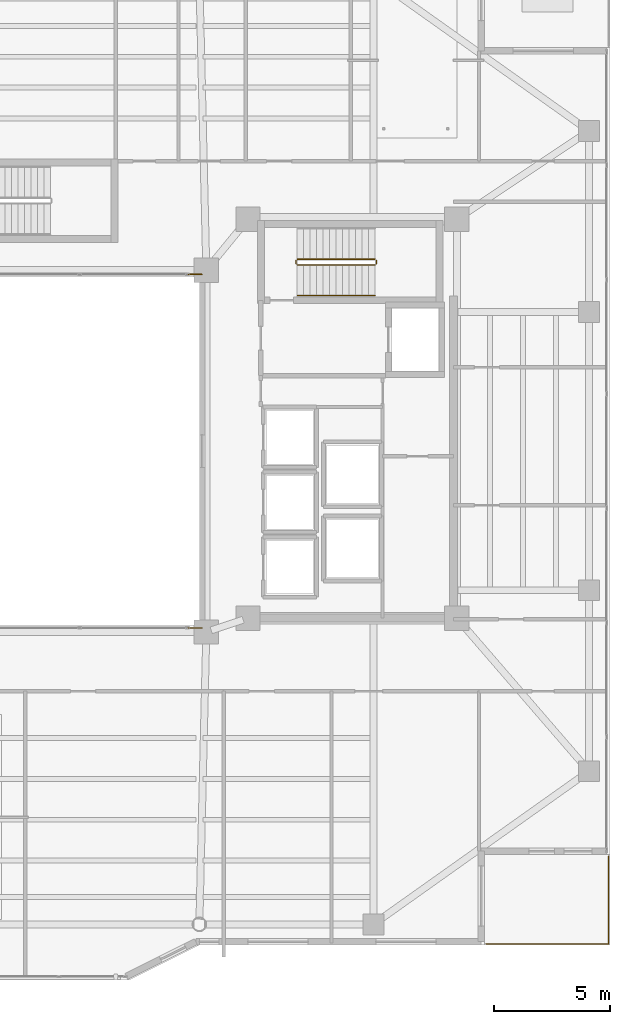
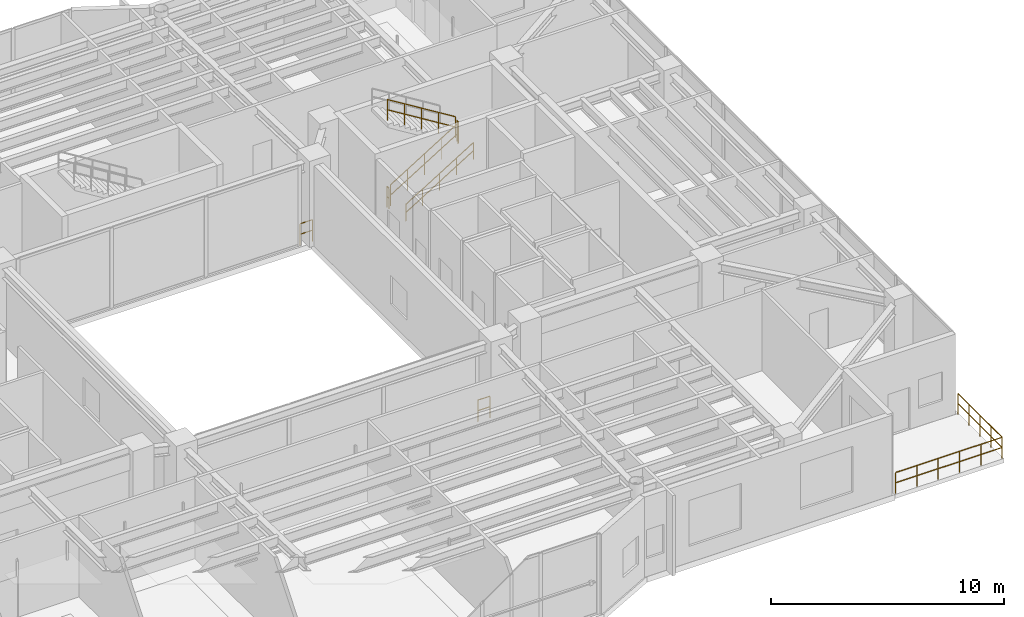
# One storey, part 31 of 33: 9 railings.
"""IFC4 building model written with IfcOpenShell, lengths in metres."""

from ifc_helpers import new_model, si_unit, direction, frame, origin, origin_2d, place, context, subcontext, project, spatial, circle, extrude, material, type_object, element, save


model = new_model("IFC4")

# Units and contexts
model_context = context("Model", 3, precision=1e-05, world=origin(), true_north=direction((0.0, 1.0)))
body_context = subcontext(model_context, "Body", "Model", "MODEL_VIEW")
ifc_project = project(units=[si_unit("LENGTHUNIT", "METRE"), si_unit("AREAUNIT", "SQUARE_METRE"), si_unit("VOLUMEUNIT", "CUBIC_METRE"), si_unit("PLANEANGLEUNIT", "RADIAN"), si_unit("MASSUNIT", "GRAM", prefix="KILO")], contexts=[model_context])

# Site, building, storey
site_placement = place(None, origin())
site = spatial("IfcSite", under=ifc_project, at=site_placement, CompositionType="ELEMENT")
building_placement = place(site_placement, origin())
building = spatial("IfcBuilding", under=site, at=building_placement, Name="Tarnavaz Court Tower", CompositionType="ELEMENT")
storey_placement = place(building_placement, frame((0.0, 0.0, 177.300048828125)))
storey = spatial("IfcBuildingStorey", under=building, at=storey_placement, Name="L48", CompositionType="ELEMENT", Elevation=177.300048828125)

# Railings
ifc_material_1 = material(Name="Anodised Aluminium 6063-T6 and Laminated Safety Glass", Category="aluminium")
railing_type_1 = type_object("IfcRailingType", Name="RL-BAL-1120", PredefinedType="BALUSTRADE", material=ifc_material_1)
railing_1_placement = place(storey_placement, frame((7.02001953125, -7.6201171875, 0.0)))
element("IfcRailing", 1, at=railing_1_placement, inside=storey, type_object=railing_type_1, Name="L48 Courtyard Corner Balustrade S-B", PredefinedType="BALUSTRADE", context=body_context, shape_type="SweptSolid", body=[
    extrude(circle(Radius=0.02392578125, at=origin_2d()), frame((0.0, 0.0, 1.1259765625), z_axis=(1.0, 0.0, 0.0), x_axis=(0.0, 1.0, 0.0)), (0.0, 0.0, 1.0), 0.60009765625),
    extrude(circle(Radius=0.02392578125, at=origin_2d()), frame((0.0, 0.0, 0.574951171875), z_axis=(1.0, 0.0, 0.0), x_axis=(0.0, 1.0, 0.0)), (0.0, 0.0, 1.0), 0.60009765625),
    extrude(circle(Radius=0.02099609375, at=origin_2d()), origin(), (0.0, 0.0, 1.0), 1.101806640625),
    extrude(circle(Radius=0.02099609375, at=origin_2d()), frame((0.60009765625, 0.0, 0.0)), (0.0, 0.0, 1.0), 1.101806640625),
])
railing_2_placement = place(storey_placement, frame((7.6201171875, 7.6201171875, 0.0)))
element("IfcRailing", 2, at=railing_2_placement, inside=storey, type_object=railing_type_1, Name="L48 Courtyard Corner Balustrade N-A", PredefinedType="BALUSTRADE", context=body_context, shape_type="SweptSolid", body=[
    extrude(circle(Radius=0.02392578125, at=origin_2d()), frame((0.0, 0.0, 1.1259765625), z_axis=(-1.0, 0.0, 0.0), x_axis=(0.0, -1.0, 0.0)), (0.0, 0.0, 1.0), 0.60009765625),
    extrude(circle(Radius=0.02392578125, at=origin_2d()), frame((0.0, 0.0, 0.574951171875), z_axis=(-1.0, 0.0, 0.0), x_axis=(0.0, -1.0, 0.0)), (0.0, 0.0, 1.0), 0.60009765625),
    extrude(circle(Radius=0.02099609375, at=origin_2d()), origin(), (0.0, 0.0, 1.0), 1.101806640625),
    extrude(circle(Radius=0.02099609375, at=origin_2d()), frame((-0.60009765625, 0.0, 0.0)), (0.0, 0.0, 1.0), 1.101806640625),
])
railing_3_placement = place(storey_placement, frame((19.860107421875, -21.239990234375, 0.0)))
element("IfcRailing", 3, at=railing_3_placement, inside=storey, type_object=railing_type_1, Name="L48 Terrace 3 S Perimeter Balustrade", PredefinedType="BALUSTRADE", context=body_context, shape_type="SweptSolid", body=[
    extrude(circle(Radius=0.02392578125, at=origin_2d()), frame((0.0, 0.0, 1.09619140625), z_axis=(1.0, 0.0, 0.0), x_axis=(0.0, 1.0, 0.0)), (0.0, 0.0, 1.0), 5.27978515625),
    extrude(circle(Radius=0.02392578125, at=origin_2d()), frame((0.0, 0.0, 0.56005859375), z_axis=(1.0, 0.0, 0.0), x_axis=(0.0, 1.0, 0.0)), (0.0, 0.0, 1.0), 5.27978515625),
    extrude(circle(Radius=0.02099609375, at=origin_2d()), origin(), (0.0, 0.0, 1.0), 1.072021484375),
    extrude(circle(Radius=0.02099609375, at=origin_2d()), frame((1.055908203125, 0.0, 0.0)), (0.0, 0.0, 1.0), 1.072021484375),
    extrude(circle(Radius=0.02099609375, at=origin_2d()), frame((2.11181640625, 0.0, 0.0)), (0.0, 0.0, 1.0), 1.072021484375),
    extrude(circle(Radius=0.02099609375, at=origin_2d()), frame((3.16796875, 0.0, 0.0)), (0.0, 0.0, 1.0), 1.072021484375),
    extrude(circle(Radius=0.02099609375, at=origin_2d()), frame((4.223876953125, 0.0, 0.0)), (0.0, 0.0, 1.0), 1.072021484375),
    extrude(circle(Radius=0.02099609375, at=origin_2d()), frame((5.27978515625, 0.0, 0.0)), (0.0, 0.0, 1.0), 1.072021484375),
])
railing_4_placement = place(storey_placement, frame((25.139892578125, -21.239990234375, 0.0)))
element("IfcRailing", 4, at=railing_4_placement, inside=storey, type_object=railing_type_1, Name="L48 Terrace 3 E Perimeter Balustrade", PredefinedType="BALUSTRADE", context=body_context, shape_type="SweptSolid", body=[
    extrude(circle(Radius=0.02392578125, at=origin_2d()), frame((0.0, 0.0, 1.09619140625), z_axis=(0.0, 1.0, 0.0), x_axis=(-1.0, 0.0, 0.0)), (0.0, 0.0, 1.0), 3.780029296875),
    extrude(circle(Radius=0.02392578125, at=origin_2d()), frame((0.0, 0.0, 0.56005859375), z_axis=(0.0, 1.0, 0.0), x_axis=(-1.0, 0.0, 0.0)), (0.0, 0.0, 1.0), 3.780029296875),
    extrude(circle(Radius=0.02099609375, at=origin_2d()), origin(), (0.0, 0.0, 1.0), 1.072021484375),
    extrude(circle(Radius=0.02099609375, at=origin_2d()), frame((0.0, 0.945068359375, 0.0)), (0.0, 0.0, 1.0), 1.072021484375),
    extrude(circle(Radius=0.02099609375, at=origin_2d()), frame((0.0, 1.89013671875, 0.0)), (0.0, 0.0, 1.0), 1.072021484375),
    extrude(circle(Radius=0.02099609375, at=origin_2d()), frame((0.0, 2.8349609375, 0.0)), (0.0, 0.0, 1.0), 1.072021484375),
    extrude(circle(Radius=0.02099609375, at=origin_2d()), frame((0.0, 3.780029296875, 0.0)), (0.0, 0.0, 1.0), 1.072021484375),
])
ifc_material_2 = material(Name="Brushed Stainless Steel", Category="steel")
railing_type_2 = type_object("IfcRailingType", Name="RL-HANDRAIL-900", PredefinedType="HANDRAIL", material=ifc_material_2)
railing_5_placement = place(storey_placement, frame((11.719970703125, 6.699951171875, 0.173095703125)))
element("IfcRailing", 5, at=railing_5_placement, inside=storey, type_object=railing_type_2, Name="L48 ST-E1 stair handrail 1", PredefinedType="HANDRAIL", context=body_context, shape_type="SweptSolid", body=[
    extrude(circle(Radius=0.02392578125, at=origin_2d()), frame((0.0, 0.0, 0.8759765625), z_axis=(0.850623216509, 0.0, 0.525775754039), x_axis=(0.0, 1.0, 0.0)), (0.0, 0.0, 1.0), 3.9501953125),
    extrude(circle(Radius=0.02392578125, at=origin_2d()), frame((0.0, 0.0, 0.449951171875), z_axis=(0.850623216509, 0.0, 0.525775754039), x_axis=(0.0, 1.0, 0.0)), (0.0, 0.0, 1.0), 3.9501953125),
    extrude(circle(Radius=0.02099609375, at=origin_2d()), origin(), (0.0, 0.0, 1.0), 0.851806640625),
    extrude(circle(Radius=0.02099609375, at=origin_2d()), frame((0.840087890625, 0.0, 0.519287109375)), (0.0, 0.0, 1.0), 0.851806640625),
    extrude(circle(Radius=0.02099609375, at=origin_2d()), frame((1.68017578125, 0.0, 1.03857421875)), (0.0, 0.0, 1.0), 0.851806640625),
    extrude(circle(Radius=0.02099609375, at=origin_2d()), frame((2.52001953125, 0.0, 1.5576171875)), (0.0, 0.0, 1.0), 0.851806640625),
    extrude(circle(Radius=0.02099609375, at=origin_2d()), frame((3.360107421875, 0.0, 2.076904296875)), (0.0, 0.0, 1.0), 0.851806640625),
])
ifc_material_3 = material(Name="Galvanized Painted Tubular Steel", Category="steel")
railing_type_3 = type_object("IfcRailingType", Name="RL-STGUARD-1120", PredefinedType="GUARDRAIL", material=ifc_material_3)
railing_6_placement = place(storey_placement, frame((11.719970703125, 8.02001953125, 0.173095703125)))
element("IfcRailing", 6, at=railing_6_placement, inside=storey, type_object=railing_type_3, Name="L48 ST-E1 stair guard 1", PredefinedType="GUARDRAIL", context=body_context, shape_type="SweptSolid", body=[
    extrude(circle(Radius=0.02392578125, at=origin_2d()), frame((0.0, 0.0, 1.09619140625), z_axis=(0.850623216509, 0.0, 0.525775754039), x_axis=(0.0, 1.0, 0.0)), (0.0, 0.0, 1.0), 3.9501953125),
    extrude(circle(Radius=0.02392578125, at=origin_2d()), frame((0.0, 0.0, 0.56005859375), z_axis=(0.850623216509, 0.0, 0.525775754039), x_axis=(0.0, 1.0, 0.0)), (0.0, 0.0, 1.0), 3.9501953125),
    extrude(circle(Radius=0.02099609375, at=origin_2d()), origin(), (0.0, 0.0, 1.0), 1.072021484375),
    extrude(circle(Radius=0.02099609375, at=origin_2d()), frame((0.840087890625, 0.0, 0.519287109375)), (0.0, 0.0, 1.0), 1.072021484375),
    extrude(circle(Radius=0.02099609375, at=origin_2d()), frame((1.68017578125, 0.0, 1.03857421875)), (0.0, 0.0, 1.0), 1.072021484375),
    extrude(circle(Radius=0.02099609375, at=origin_2d()), frame((2.52001953125, 0.0, 1.5576171875)), (0.0, 0.0, 1.0), 1.072021484375),
    extrude(circle(Radius=0.02099609375, at=origin_2d()), frame((3.360107421875, 0.0, 2.076904296875)), (0.0, 0.0, 1.0), 1.072021484375),
])
railing_7_placement = place(storey_placement, frame((15.1298828125, 8.070068359375, 2.25)))
element("IfcRailing", 7, at=railing_7_placement, inside=storey, type_object=railing_type_3, Name="L48 ST-E1 stair guard 2", PredefinedType="GUARDRAIL", context=body_context, shape_type="SweptSolid", body=[
    extrude(circle(Radius=0.02392578125, at=origin_2d()), frame((0.0, 0.0, 1.09619140625), z_axis=(0.0, 1.0, 0.0), x_axis=(-1.0, 0.0, 0.0)), (0.0, 0.0, 1.0), 0.14990234375),
    extrude(circle(Radius=0.02392578125, at=origin_2d()), frame((0.0, 0.0, 0.56005859375), z_axis=(0.0, 1.0, 0.0), x_axis=(-1.0, 0.0, 0.0)), (0.0, 0.0, 1.0), 0.14990234375),
    extrude(circle(Radius=0.02099609375, at=origin_2d()), origin(), (0.0, 0.0, 1.0), 1.072021484375),
    extrude(circle(Radius=0.02099609375, at=origin_2d()), frame((0.0, 0.14990234375, 0.0)), (0.0, 0.0, 1.0), 1.072021484375),
])
railing_8_placement = place(storey_placement, frame((15.080078125, 8.27001953125, 2.423095703125)))
element("IfcRailing", 8, at=railing_8_placement, inside=storey, type_object=railing_type_3, Name="L48 ST-E1 stair guard 3", PredefinedType="GUARDRAIL", context=body_context, shape_type="SweptSolid", body=[
    extrude(circle(Radius=0.02392578125, at=origin_2d()), frame((0.0, 0.0, 1.09619140625), z_axis=(-0.850623216509, 0.0, 0.525775754039), x_axis=(0.0, -1.0, 0.0)), (0.0, 0.0, 1.0), 3.9501953125),
    extrude(circle(Radius=0.02392578125, at=origin_2d()), frame((0.0, 0.0, 0.56005859375), z_axis=(-0.850623216509, 0.0, 0.525775754039), x_axis=(0.0, -1.0, 0.0)), (0.0, 0.0, 1.0), 3.9501953125),
    extrude(circle(Radius=0.02099609375, at=origin_2d()), origin(), (0.0, 0.0, 1.0), 1.072021484375),
    extrude(circle(Radius=0.02099609375, at=origin_2d()), frame((-0.840087890625, 0.0, 0.519287109375)), (0.0, 0.0, 1.0), 1.072021484375),
    extrude(circle(Radius=0.02099609375, at=origin_2d()), frame((-1.68017578125, 0.0, 1.03857421875)), (0.0, 0.0, 1.0), 1.072021484375),
    extrude(circle(Radius=0.02099609375, at=origin_2d()), frame((-2.52001953125, 0.0, 1.5576171875)), (0.0, 0.0, 1.0), 1.072021484375),
    extrude(circle(Radius=0.02099609375, at=origin_2d()), frame((-3.360107421875, 0.0, 2.076904296875)), (0.0, 0.0, 1.0), 1.072021484375),
])
railing_9_placement = place(storey_placement, frame((11.669921875, 8.070068359375, 0.0)))
element("IfcRailing", 9, at=railing_9_placement, inside=storey, type_object=railing_type_3, Name="L48 ST-E1 stair guard 4", PredefinedType="GUARDRAIL", context=body_context, shape_type="SweptSolid", body=[
    extrude(circle(Radius=0.02392578125, at=origin_2d()), frame((0.0, 0.0, 1.09619140625), z_axis=(0.0, 1.0, 0.0), x_axis=(-1.0, 0.0, 0.0)), (0.0, 0.0, 1.0), 0.14990234375),
    extrude(circle(Radius=0.02392578125, at=origin_2d()), frame((0.0, 0.0, 0.56005859375), z_axis=(0.0, 1.0, 0.0), x_axis=(-1.0, 0.0, 0.0)), (0.0, 0.0, 1.0), 0.14990234375),
    extrude(circle(Radius=0.02099609375, at=origin_2d()), origin(), (0.0, 0.0, 1.0), 1.072021484375),
    extrude(circle(Radius=0.02099609375, at=origin_2d()), frame((0.0, 0.14990234375, 0.0)), (0.0, 0.0, 1.0), 1.072021484375),
])

save(model, "model.ifc")
